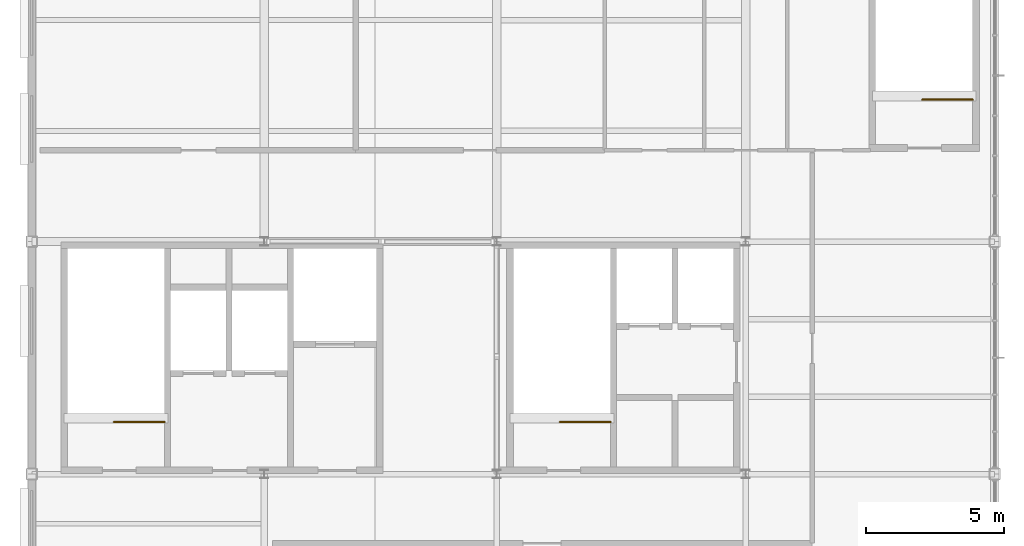
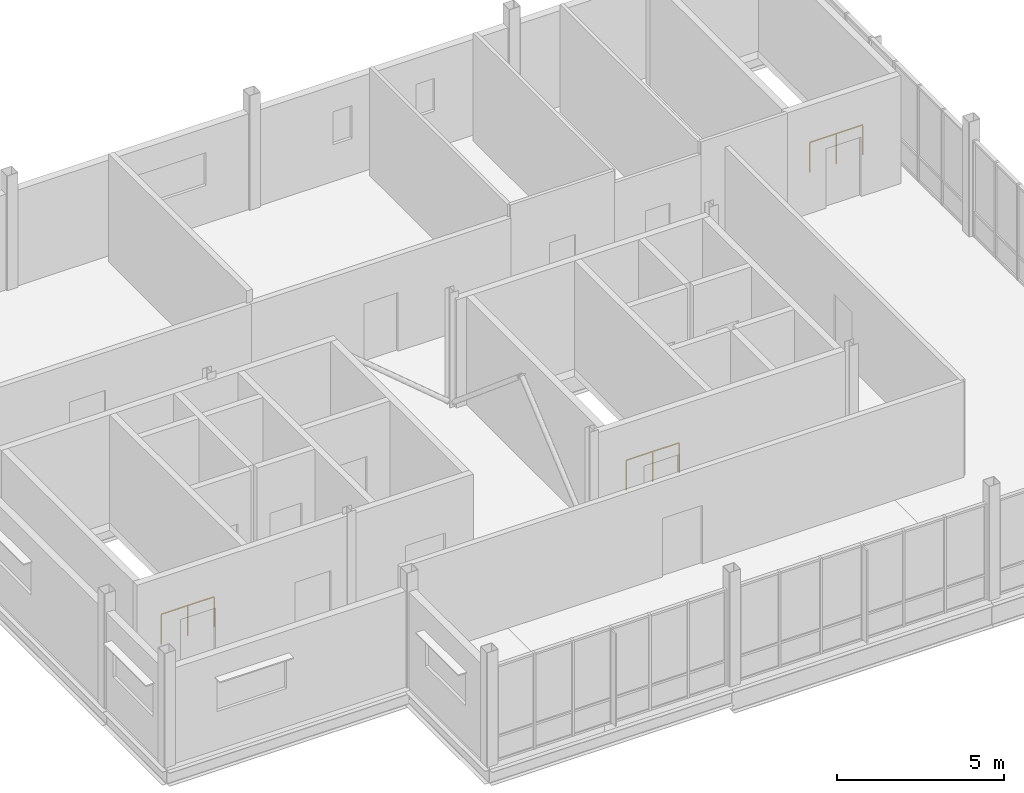
# One storey, part 15 of 15: 3 railings.
"""IFC4 building model written with IfcOpenShell, lengths in metres."""

from ifc_helpers import new_model, si_unit, direction, frame, origin, origin_2d, place, context, subcontext, project, spatial, circle, extrude, material, layer, layer_set, type_object, element, save


model = new_model("IFC4")

# Units and contexts
model_context = context("Model", 3, precision=1e-05, world=origin(), true_north=direction((0.0, 1.0)))
body_context = subcontext(model_context, "Body", "Model", "MODEL_VIEW")
ifc_project = project(units=[si_unit("LENGTHUNIT", "METRE"), si_unit("AREAUNIT", "SQUARE_METRE"), si_unit("VOLUMEUNIT", "CUBIC_METRE"), si_unit("PLANEANGLEUNIT", "RADIAN"), si_unit("MASSUNIT", "GRAM", prefix="KILO")], contexts=[model_context])

# Site, building, storey
site_placement = place(None, origin())
site = spatial("IfcSite", under=ifc_project, at=site_placement, CompositionType="ELEMENT")
building_placement = place(site_placement, origin())
building = spatial("IfcBuilding", under=site, at=building_placement, Name="Yukiwa Park Conservatory and Herbarium", CompositionType="ELEMENT")
storey_placement = place(building_placement, frame((0.0, 0.0, 61.199951171875)))
storey = spatial("IfcBuildingStorey", under=building, at=storey_placement, Name="L16", CompositionType="ELEMENT", Elevation=61.199951171875)

# Railings
ifc_material = material(Name="Steel Q235B", Category="steel")
ifc_layer = layer(ifc_material, 0.050048828125)
ifc_layer_set = layer_set([ifc_layer], Name="Steel Q235B")
railing_type = type_object("IfcRailingType", Name="RL-STAIR-GUARD-1120", PredefinedType="BALUSTRADE", material=ifc_layer_set)
for number, where, name in (
    (1, (138.0, 96.679931640625, 0.0), "L16 ST-T1 top well guard 1"),
    (2, (154.110107421875, 96.679931640625, 0.0), "L16 ST-T2 top well guard 1"),
):
    element("IfcRailing", number, at=place(storey_placement, frame(where)), inside=storey, type_object=railing_type, Name=name, PredefinedType="BALUSTRADE", context=body_context, shape_type="SweptSolid", body=[
        extrude(circle(Radius=0.02392578125, at=origin_2d()), frame((0.0, 0.0, 1.09619140625), z_axis=(-1.0, 0.0, 0.0), x_axis=(0.0, -1.0, 0.0)), (0.0, 0.0, 1.0), 1.830078125),
        extrude(circle(Radius=0.02099609375, at=origin_2d()), origin(), (0.0, 0.0, 1.0), 1.072021484375),
        extrude(circle(Radius=0.02099609375, at=origin_2d()), frame((-0.9150390625, 0.0, 0.0)), (0.0, 0.0, 1.0), 1.072021484375),
        extrude(circle(Radius=0.02099609375, at=origin_2d()), frame((-1.830078125, 0.0, 0.0)), (0.0, 0.0, 1.0), 1.072021484375),
    ])
railing_placement = place(storey_placement, frame((167.199951171875, 108.330078125, 0.0)))
element("IfcRailing", 3, at=railing_placement, inside=storey, type_object=railing_type, Name="L16 ST-T3 top well guard 1", PredefinedType="BALUSTRADE", context=body_context, shape_type="SweptSolid", body=[
    extrude(circle(Radius=0.02392578125, at=origin_2d()), frame((0.0, 0.0, 1.09619140625), z_axis=(-1.0, 0.0, 0.0), x_axis=(0.0, -1.0, 0.0)), (0.0, 0.0, 1.0), 1.829833984375),
    extrude(circle(Radius=0.02099609375, at=origin_2d()), origin(), (0.0, 0.0, 1.0), 1.072021484375),
    extrude(circle(Radius=0.02099609375, at=origin_2d()), frame((-0.9150390625, 0.0, 0.0)), (0.0, 0.0, 1.0), 1.072021484375),
    extrude(circle(Radius=0.02099609375, at=origin_2d()), frame((-1.829833984375, 0.0, 0.0)), (0.0, 0.0, 1.0), 1.072021484375),
])

save(model, "model.ifc")
